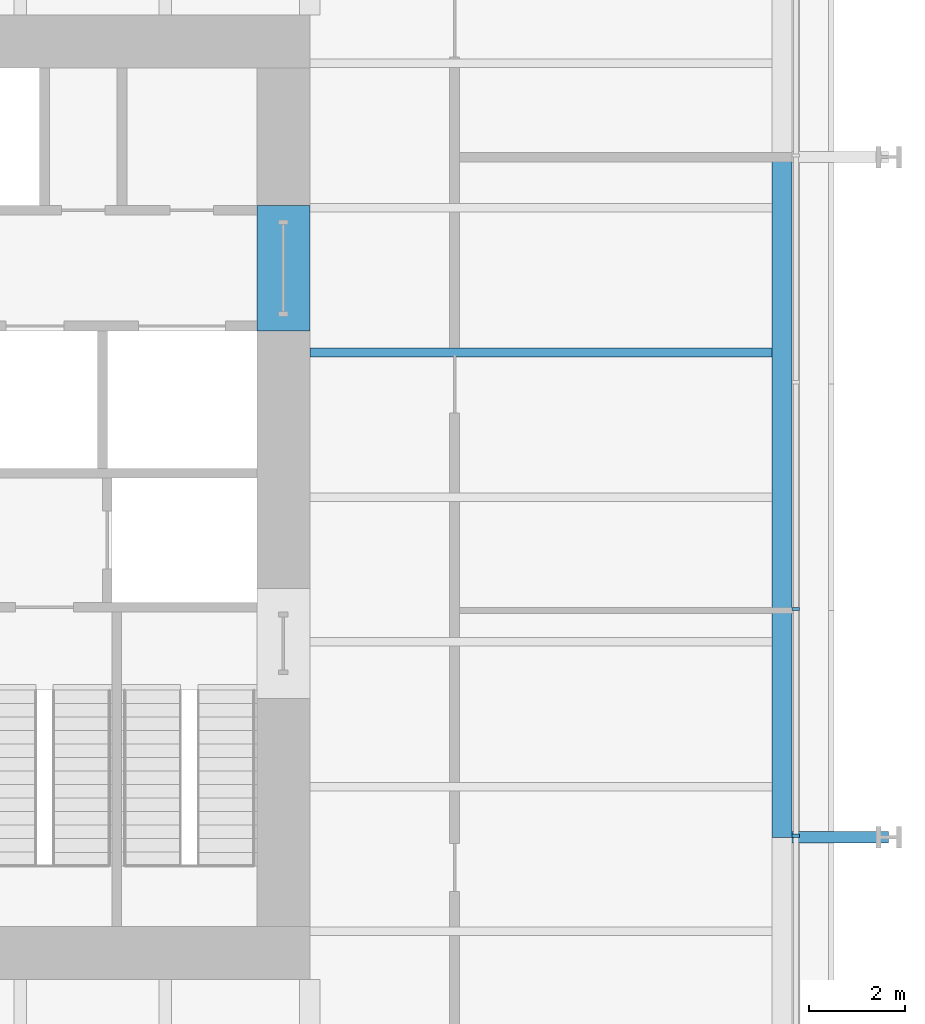
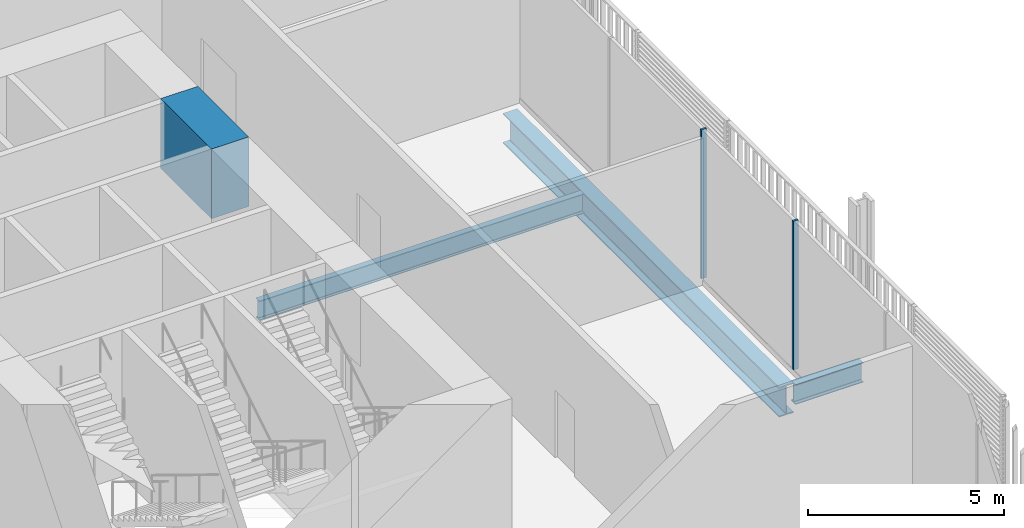
# One storey, part 9 of 22: 4 beams, 2 members, 1 element without a shape of its own.
"""IFC4 building model written with IfcOpenShell, lengths in metres."""

from ifc_helpers import new_model, si_unit, direction, frame, origin, origin_2d, place, context, subcontext, project, spatial, rectangle, i_section, extrude, material, layer, layer_set, material_profile, profile_set, type_object, element, aggregate, save


model = new_model("IFC4")

# Units and contexts
model_context = context("Model", 3, precision=1e-05, world=origin(), true_north=direction((0.0, 1.0)))
body_context = subcontext(model_context, "Body", "Model", "MODEL_VIEW")
ifc_project = project(units=[si_unit("LENGTHUNIT", "METRE"), si_unit("AREAUNIT", "SQUARE_METRE"), si_unit("VOLUMEUNIT", "CUBIC_METRE"), si_unit("PLANEANGLEUNIT", "RADIAN"), si_unit("MASSUNIT", "GRAM", prefix="KILO")], contexts=[model_context])

# Site, building, storey
site_placement = place(None, origin())
site = spatial("IfcSite", under=ifc_project, at=site_placement, CompositionType="ELEMENT")
building_placement = place(site_placement, origin())
building = spatial("IfcBuilding", under=site, at=building_placement, Name="Millrace Tower", CompositionType="ELEMENT")
storey_placement = place(building_placement, frame((0.0, 0.0, 25.699951171875)))
storey = spatial("IfcBuildingStorey", under=building, at=storey_placement, Name="L06", CompositionType="ELEMENT", Elevation=25.699951171875)

# Curtain wall, members
ifc_material_1 = material(Name="Aluminium and glass", Category="aluminium")
ifc_layer = layer(ifc_material_1, 0.14990234375)
ifc_layer_set = layer_set([ifc_layer], Name="Aluminium and glass")
curtain_wall_type = type_object("IfcCurtainWallType", Name="CW-2 data hall insulated curtain wall", PredefinedType="NOTDEFINED", material=ifc_layer_set)
curtain_wall_placement = place(storey_placement, origin())
curtain_wall = element("IfcCurtainWall", 1, at=curtain_wall_placement, inside=storey, type_object=curtain_wall_type, Name="Curtain wall A-F04 L06", PredefinedType="NOTDEFINED")
ifc_material_2 = material(Name="Aluminium", Category="aluminium")
ifc_material_profile_1 = material_profile(ifc_material_2, rectangle(XDim=0.06494140625, YDim=0.14990234375, at=origin_2d()))
ifc_profile_set_1 = profile_set([ifc_material_profile_1], Name="Aluminium")
member_type = type_object("IfcMemberType", Name="CW-2 data hall insulated curtain wall mullion", PredefinedType="MULLION", material=ifc_profile_set_1)
member_1_placement = place(storey_placement, frame((25.074951171875, -7.017578125, 0.16015625), z_axis=(0.0, 0.0, 1.0), x_axis=(0.0, 1.0, 0.0)))
member_1 = element("IfcMember", 2, at=member_1_placement, type_object=member_type, Name="CW2 mullion A-F04.4", PredefinedType="MULLION", context=body_context, shape_type="SweptSolid", body=[
    extrude(rectangle(XDim=0.06494140625, YDim=0.14990234375, at=origin_2d()), origin(), (0.0, 0.0, 1.0), 4.639892578125),
])
member_2_placement = place(storey_placement, frame((25.074951171875, -2.3173828125, 0.16015625), z_axis=(0.0, 0.0, 1.0), x_axis=(0.0, 1.0, 0.0)))
member_2 = element("IfcMember", 3, at=member_2_placement, type_object=member_type, Name="CW2 mullion A-F04.5", PredefinedType="MULLION", context=body_context, shape_type="SweptSolid", body=[
    extrude(rectangle(XDim=0.06494140625, YDim=0.14990234375, at=origin_2d()), origin(), (0.0, 0.0, 1.0), 4.639892578125),
])
aggregate(curtain_wall, [member_1, member_2])

# Beams
ifc_material_3 = material(Name="Concrete C80", Category="concrete")
ifc_material_profile_2 = material_profile(ifc_material_3, rectangle(XDim=1.10009765625, YDim=2.175048828125, at=origin_2d()))
ifc_profile_set_2 = profile_set([ifc_material_profile_2], Name="Concrete C80")
beam_type_1 = type_object("IfcBeamType", Name="Coupling beam 1100 x 2175 Concrete C80, 2000 opening", PredefinedType="BEAM", material=ifc_profile_set_2)
beam_1_placement = place(storey_placement, frame((14.449951171875, 6.050048828125, 3.487548828125), z_axis=(0.0, -1.0, 0.0), x_axis=(1.0, 0.0, 0.0)))
element("IfcBeam", 4, at=beam_1_placement, inside=storey, type_object=beam_type_1, Name="Coupling beam E L06", PredefinedType="BEAM", context=body_context, shape_type="SweptSolid", body=[
    extrude(rectangle(XDim=1.10009765625, YDim=2.175048828125, at=origin_2d()), origin(), (0.0, 0.0, 1.0), 2.60009765625),
])
ifc_material_4 = material(Name="Steel ASTM A992 Grade 50", Category="steel")
ifc_material_profile_3 = material_profile(ifc_material_4, i_section(OverallWidth=0.1787109375, OverallDepth=0.60205078125, WebThickness=0.010986328125, FlangeThickness=0.014892578125, FilletRadius=0.0126953125, at=origin_2d()))
ifc_profile_set_3 = profile_set([ifc_material_profile_3], Name="Steel ASTM A992 Grade 50")
beam_type_2 = type_object("IfcBeamType", Name="Floor beam W24x62", PredefinedType="JOIST", material=ifc_profile_set_3)
beam_2_placement = place(storey_placement, frame((15.0, 3.0, -0.52587890625), z_axis=(1.0, 0.0, 0.0), x_axis=(0.0, 1.0, 0.0)))
element("IfcBeam", 5, at=beam_2_placement, inside=storey, type_object=beam_type_2, Name="BM-A-L06-S1-S025", PredefinedType="JOIST", context=body_context, shape_type="SweptSolid", body=[
    extrude(i_section(OverallWidth=0.1787109375, OverallDepth=0.60205078125, WebThickness=0.010986328125, FlangeThickness=0.014892578125, FilletRadius=0.0126953125, at=origin_2d()), origin(), (0.0, 0.0, 1.0), 9.578369140625),
])
ifc_material_5 = material(Name="Steel ASTM A992 Grade 50", Category="steel")
ifc_material_profile_4 = material_profile(ifc_material_5, i_section(OverallWidth=0.23046875, OverallDepth=0.6171875, WebThickness=0.01318359375, FlangeThickness=0.022216796875, FilletRadius=0.012939453125, at=origin_2d()))
ifc_profile_set_4 = profile_set([ifc_material_profile_4], Name="Steel ASTM A992 Grade 50")
beam_type_3 = type_object("IfcBeamType", Name="Link beam W24x94", PredefinedType="BEAM", material=ifc_profile_set_4)
beam_3_placement = place(storey_placement, frame((25.0, -7.050048828125, -0.533447265625), z_axis=(1.0, 0.0, 0.0), x_axis=(0.0, 1.0, 0.0)))
element("IfcBeam", 6, at=beam_3_placement, inside=storey, type_object=beam_type_3, Name="LNK-A-L06-S1-11", PredefinedType="BEAM", context=body_context, shape_type="SweptSolid", body=[
    extrude(i_section(OverallWidth=0.23046875, OverallDepth=0.6171875, WebThickness=0.01318359375, FlangeThickness=0.022216796875, FilletRadius=0.012939453125, at=origin_2d()), origin(), (0.0, 0.0, 1.0), 2.0),
])
ifc_material_6 = material(Name="Steel ASTM A992 Grade 50", Category="steel")
ifc_material_profile_5 = material_profile(ifc_material_6, i_section(OverallWidth=0.421630859375, OverallDepth=0.937255859375, WebThickness=0.021240234375, FlangeThickness=0.03662109375, FilletRadius=0.024169921875, at=origin_2d()))
ifc_profile_set_5 = profile_set([ifc_material_profile_5], Name="Steel ASTM A992 Grade 50")
beam_type_4 = type_object("IfcBeamType", Name="Ring beam medium span W36x262", PredefinedType="SPANDREL", material=ifc_profile_set_5)
beam_4_placement = place(storey_placement, frame((24.7890625, 7.050048828125, -0.693603515625), z_axis=(0.0, -1.0, 0.0), x_axis=(1.0, 0.0, 0.0)))
element("IfcBeam", 7, at=beam_4_placement, inside=storey, type_object=beam_type_4, Name="RNG-A-L06-S1-10", PredefinedType="SPANDREL", context=body_context, shape_type="SweptSolid", body=[
    extrude(i_section(OverallWidth=0.421630859375, OverallDepth=0.937255859375, WebThickness=0.021240234375, FlangeThickness=0.03662109375, FilletRadius=0.024169921875, at=origin_2d()), origin(), (0.0, 0.0, 1.0), 14.10009765625),
])

save(model, "model.ifc")
